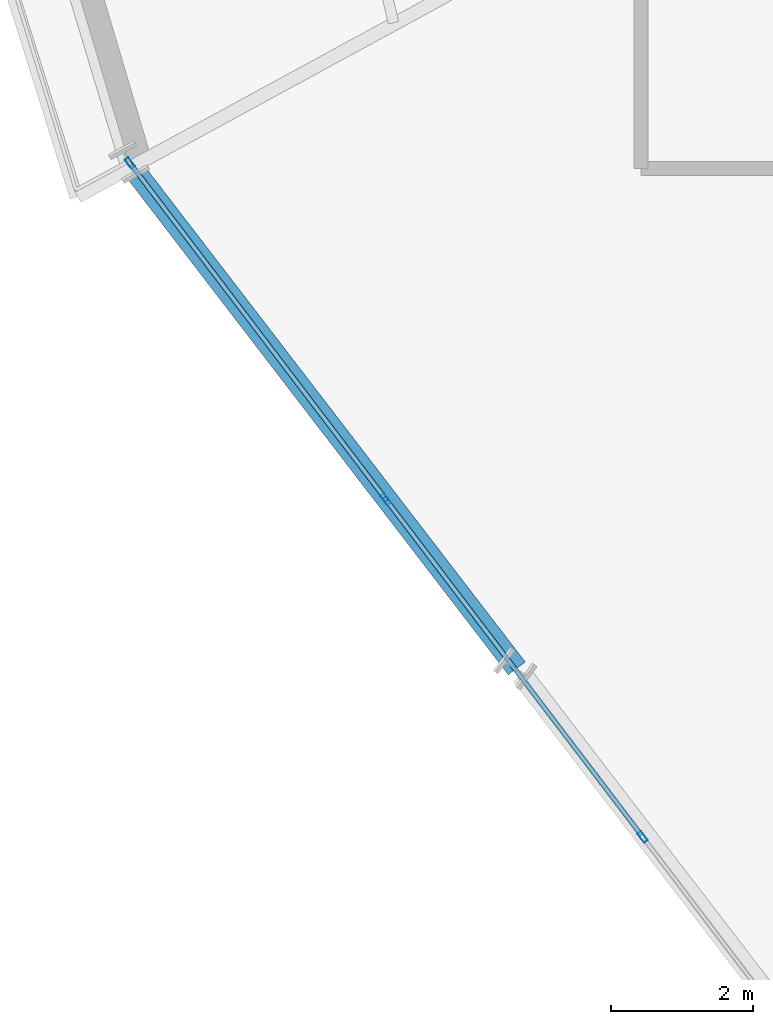
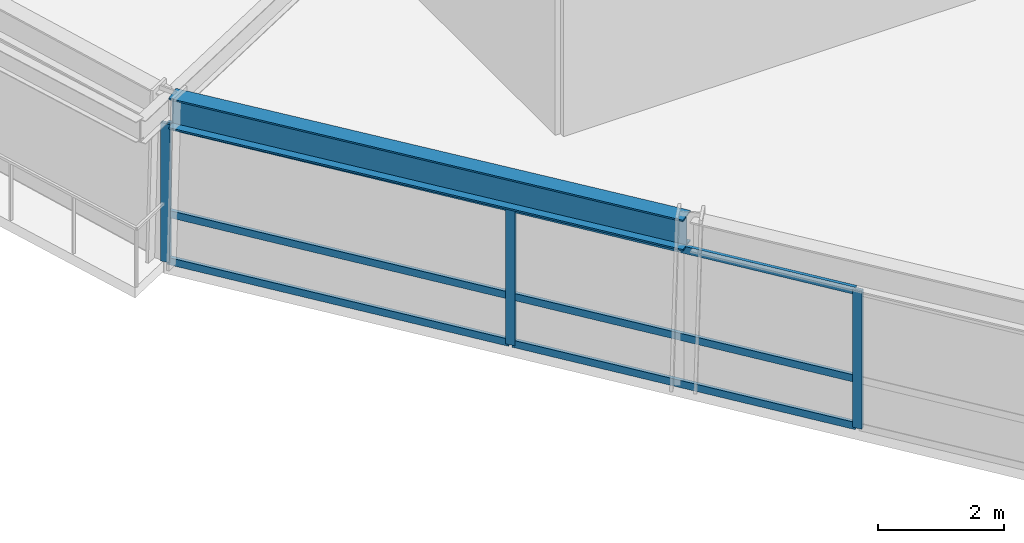
# One storey, part 2 of 14: 9 members, 1 beam, 1 element without a shape of its own.
"""IFC4 building model written with IfcOpenShell, lengths in metres."""

from ifc_helpers import new_model, si_unit, direction, frame, origin, origin_2d, place, context, subcontext, project, spatial, hollow_rectangle, i_section, extrude, source, transform, mapped, material, material_profile, profile_set, type_object, element, aggregate, save


model = new_model("IFC4")

# Units and contexts
model_context = context("Model", 3, precision=1e-05, world=origin(), true_north=direction((0.0, 1.0)))
body_context = subcontext(model_context, "Body", "Model", "MODEL_VIEW")
ifc_project = project(units=[si_unit("LENGTHUNIT", "METRE"), si_unit("AREAUNIT", "SQUARE_METRE"), si_unit("VOLUMEUNIT", "CUBIC_METRE"), si_unit("PLANEANGLEUNIT", "RADIAN"), si_unit("MASSUNIT", "GRAM", prefix="KILO")], contexts=[model_context])

# Site, building, storey
site_placement = place(None, origin())
site = spatial("IfcSite", under=ifc_project, at=site_placement, CompositionType="ELEMENT")
building_placement = place(site_placement, origin())
building = spatial("IfcBuilding", under=site, at=building_placement, Name="Olszyna Solenne Hotel", CompositionType="ELEMENT")
storey_placement = place(building_placement, frame((0.0, 0.0, 153.699951171875)))
storey = spatial("IfcBuildingStorey", under=building, at=storey_placement, Name="L40", CompositionType="ELEMENT", Elevation=153.699951171875)

# Beam
ifc_material_1 = material(Name="Steel S355J2", Category="steel")
ifc_material_profile_1 = material_profile(ifc_material_1, i_section(OverallWidth=0.300048828125, OverallDepth=0.60009765625, WebThickness=0.015380859375, FlangeThickness=0.030029296875, at=origin_2d()), Name="HEB 600", Category="load-bearing")
ifc_profile_set_1 = profile_set([ifc_material_profile_1], Name="Steel S355J2")
beam_type = type_object("IfcBeamType", Name="BM-S2", PredefinedType="BEAM", material=ifc_profile_set_1)
shared_shape_1 = source(origin(), body_context, "Body", "SweptSolid", [
    extrude(i_section(OverallWidth=0.300048828125, OverallDepth=0.60009765625, WebThickness=0.015380859375, FlangeThickness=0.030029296875, at=origin_2d()), origin(), (0.0, 0.0, 1.0), 8.8720703125),
])
beam_placement = place(storey_placement, frame((20.444580078125, 16.980224609375, 3.0), z_axis=(0.609026984474, -0.793149501785, 0.0), x_axis=(0.793149501785, 0.609026984474, 0.0)))
element("IfcBeam", 1, at=beam_placement, inside=storey, type_object=beam_type, Name="Perimeter spandrel beam BM-S2 B-L40-1192", PredefinedType="BEAM", context=body_context, shape_type="MappedRepresentation", body=[
    mapped(shared_shape_1, transform((0.0, 0.0, 0.0), x_axis=(1.0, 0.0, 0.0), y_axis=(0.0, 1.0, 0.0), z_axis=(0.0, 0.0, 1.0), scale=1.0)),
])

# Curtain wall, members
ifc_material_2 = material(Name="Anodised bronze aluminium", Category="aluminium")
curtain_wall_type = type_object("IfcCurtainWallType", Name="CW-SYS-4", PredefinedType="NOTDEFINED", material=ifc_material_2)
curtain_wall_placement = place(storey_placement, origin())
curtain_wall = element("IfcCurtainWall", 2, at=curtain_wall_placement, inside=storey, type_object=curtain_wall_type, Name="Unitised curtain wall CW-SYS-4 CW-L40-01", PredefinedType="NOTDEFINED")
ifc_material_profile_2 = material_profile(ifc_material_2, hollow_rectangle(XDim=0.06494140625, YDim=0.159912109375, WallThickness=0.00390625, at=origin_2d()), Name="MULL 160x65x4", Category="load-bearing")
ifc_profile_set_2 = profile_set([ifc_material_profile_2], Name="Anodised bronze aluminium")
member_type_1 = type_object("IfcMemberType", Name="CW-M3", PredefinedType="MULLION", material=ifc_profile_set_2)
shared_shape_2 = source(origin(), body_context, "Body", "SweptSolid", [
    extrude(hollow_rectangle(XDim=0.06494140625, YDim=0.159912109375, WallThickness=0.00390625, at=origin_2d()), origin(), (0.0, 0.0, 1.0), 2.692138671875),
])
member_1_placement = place(storey_placement, frame((20.38623046875, 17.078857421875, 0.0), z_axis=(0.0, 0.0, 1.0), x_axis=(0.795800208431, 0.605559268992, 0.0)))
member_1 = element("IfcMember", 3, at=member_1_placement, type_object=member_type_1, Name="Curtain-wall mullion CW-M3 CM-L40-01-01", PredefinedType="MULLION", context=body_context, shape_type="MappedRepresentation", body=[
    mapped(shared_shape_2, transform((0.0, 0.0, 0.0), x_axis=(1.0, 0.0, 0.0), y_axis=(0.0, 1.0, 0.0), z_axis=(0.0, 0.0, 1.0), scale=1.0)),
])
member_2_placement = place(storey_placement, frame((23.99658203125, 12.334228515625, 0.0), z_axis=(0.0, 0.0, 1.0), x_axis=(0.795800208431, 0.605559268992, 0.0)))
member_2 = element("IfcMember", 4, at=member_2_placement, type_object=member_type_1, Name="Curtain-wall mullion CW-M3 CM-L40-01-02", PredefinedType="MULLION", context=body_context, shape_type="MappedRepresentation", body=[
    mapped(shared_shape_2, transform((0.0, 0.0, 0.0), x_axis=(1.0, 0.0, 0.0), y_axis=(0.0, 1.0, 0.0), z_axis=(0.0, 0.0, 1.0), scale=1.0)),
])
member_3_placement = place(storey_placement, frame((27.626708984375, 7.5634765625, 0.0), z_axis=(0.0, 0.0, 1.0), x_axis=(0.795800208431, 0.605559268992, 0.0)))
member_3 = element("IfcMember", 5, at=member_3_placement, type_object=member_type_1, Name="Curtain-wall mullion CW-M3 CM-L40-01-03", PredefinedType="MULLION", context=body_context, shape_type="MappedRepresentation", body=[
    mapped(shared_shape_2, transform((0.0, 0.0, 0.0), x_axis=(1.0, 0.0, 0.0), y_axis=(0.0, 1.0, 0.0), z_axis=(0.0, 0.0, 1.0), scale=1.0)),
])
ifc_material_profile_3 = material_profile(ifc_material_2, hollow_rectangle(XDim=0.06494140625, YDim=0.139892578125, WallThickness=0.00390625, at=origin_2d()), Name="TRAN 140x65x4", Category="load-bearing")
ifc_profile_set_3 = profile_set([ifc_material_profile_3], Name="Anodised bronze aluminium")
member_type_2 = type_object("IfcMemberType", Name="CW-T2", PredefinedType="USERDEFINED", material=ifc_profile_set_3)
shared_shape_3 = source(origin(), body_context, "Body", "SweptSolid", [
    extrude(hollow_rectangle(XDim=0.06494140625, YDim=0.139892578125, WallThickness=0.00390625, at=origin_2d()), origin(), (0.0, 0.0, 1.0), 5.897216796875),
])
member_4_placement = place(storey_placement, frame((20.40576171875, 17.052978515625, 0.032470703125), z_axis=(0.605589090257, -0.79577751524, 0.0), x_axis=(0.79577751524, 0.605589090257, 0.0)))
member_4 = element("IfcMember", 6, at=member_4_placement, type_object=member_type_2, Name="Curtain-wall transom CW-T2 CT-L40-01-01", ObjectType="TRANSOM", PredefinedType="USERDEFINED", context=body_context, shape_type="MappedRepresentation", body=[
    mapped(shared_shape_3, transform((0.0, 0.0, 0.0), x_axis=(1.0, 0.0, 0.0), y_axis=(0.0, 1.0, 0.0), z_axis=(0.0, 0.0, 1.0), scale=1.0)),
])
member_5_placement = place(storey_placement, frame((20.40576171875, 17.052978515625, 0.949951171875), z_axis=(0.605589090257, -0.79577751524, 0.0), x_axis=(0.79577751524, 0.605589090257, 0.0)))
member_5 = element("IfcMember", 7, at=member_5_placement, type_object=member_type_2, Name="Curtain-wall transom CW-T2 CT-L40-01-02", ObjectType="TRANSOM", PredefinedType="USERDEFINED", context=body_context, shape_type="MappedRepresentation", body=[
    mapped(shared_shape_3, transform((0.0, 0.0, 0.0), x_axis=(1.0, 0.0, 0.0), y_axis=(0.0, 1.0, 0.0), z_axis=(0.0, 0.0, 1.0), scale=1.0)),
])
member_6_placement = place(storey_placement, frame((20.40576171875, 17.052978515625, 2.65966796875), z_axis=(0.605589090257, -0.79577751524, 0.0), x_axis=(0.79577751524, 0.605589090257, 0.0)))
member_6 = element("IfcMember", 8, at=member_6_placement, type_object=member_type_2, Name="Curtain-wall transom CW-T2 CT-L40-01-03", ObjectType="TRANSOM", PredefinedType="USERDEFINED", context=body_context, shape_type="MappedRepresentation", body=[
    mapped(shared_shape_3, transform((0.0, 0.0, 0.0), x_axis=(1.0, 0.0, 0.0), y_axis=(0.0, 1.0, 0.0), z_axis=(0.0, 0.0, 1.0), scale=1.0)),
])
shared_shape_4 = source(origin(), body_context, "Body", "SweptSolid", [
    extrude(hollow_rectangle(XDim=0.06494140625, YDim=0.139892578125, WallThickness=0.00390625, at=origin_2d()), origin(), (0.0, 0.0, 1.0), 5.929931640625),
])
member_7_placement = place(storey_placement, frame((24.016357421875, 12.308349609375, 0.032470703125), z_axis=(0.605551875858, -0.795805834136, 0.0), x_axis=(0.795805834136, 0.605551875858, 0.0)))
member_7 = element("IfcMember", 9, at=member_7_placement, type_object=member_type_2, Name="Curtain-wall transom CW-T2 CT-L40-01-04", ObjectType="TRANSOM", PredefinedType="USERDEFINED", context=body_context, shape_type="MappedRepresentation", body=[
    mapped(shared_shape_4, transform((0.0, 0.0, 0.0), x_axis=(1.0, 0.0, 0.0), y_axis=(0.0, 1.0, 0.0), z_axis=(0.0, 0.0, 1.0), scale=1.0)),
])
member_8_placement = place(storey_placement, frame((24.016357421875, 12.308349609375, 0.949951171875), z_axis=(0.605551875858, -0.795805834136, 0.0), x_axis=(0.795805834136, 0.605551875858, 0.0)))
member_8 = element("IfcMember", 10, at=member_8_placement, type_object=member_type_2, Name="Curtain-wall transom CW-T2 CT-L40-01-05", ObjectType="TRANSOM", PredefinedType="USERDEFINED", context=body_context, shape_type="MappedRepresentation", body=[
    mapped(shared_shape_4, transform((0.0, 0.0, 0.0), x_axis=(1.0, 0.0, 0.0), y_axis=(0.0, 1.0, 0.0), z_axis=(0.0, 0.0, 1.0), scale=1.0)),
])
member_9_placement = place(storey_placement, frame((24.016357421875, 12.308349609375, 2.65966796875), z_axis=(0.605551875858, -0.795805834136, 0.0), x_axis=(0.795805834136, 0.605551875858, 0.0)))
member_9 = element("IfcMember", 11, at=member_9_placement, type_object=member_type_2, Name="Curtain-wall transom CW-T2 CT-L40-01-06", ObjectType="TRANSOM", PredefinedType="USERDEFINED", context=body_context, shape_type="MappedRepresentation", body=[
    mapped(shared_shape_4, transform((0.0, 0.0, 0.0), x_axis=(1.0, 0.0, 0.0), y_axis=(0.0, 1.0, 0.0), z_axis=(0.0, 0.0, 1.0), scale=1.0)),
])
aggregate(curtain_wall, [member_1, member_2, member_3, member_4, member_5, member_6, member_7, member_8, member_9])

save(model, "model.ifc")
